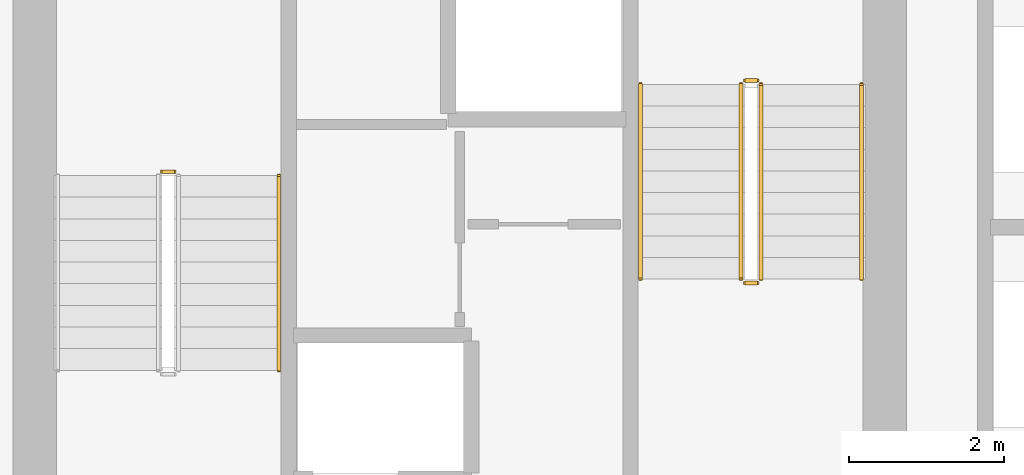
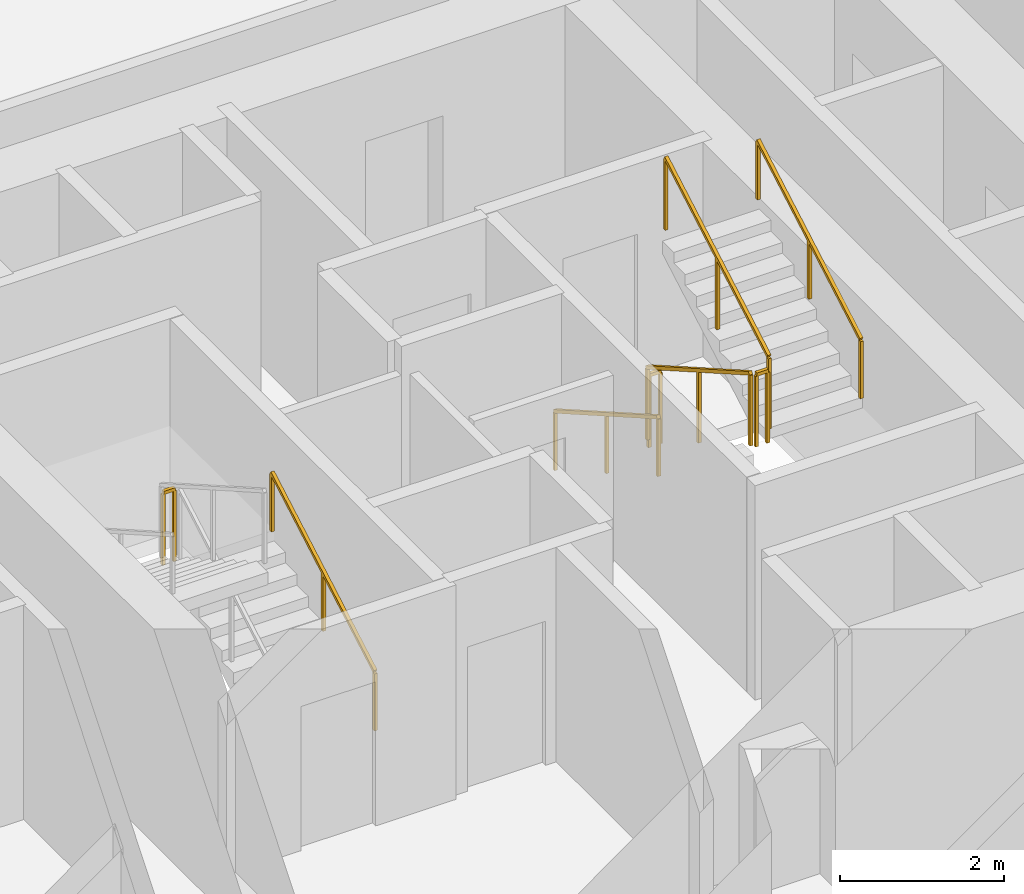
# One storey, part 12 of 13: 8 railings.
"""IFC4 building model written with IfcOpenShell, lengths in metres."""

from ifc_helpers import new_model, si_unit, direction, frame, origin, origin_2d, place, context, subcontext, project, spatial, rectangle, extrude, material, type_object, element, save


model = new_model("IFC4")

# Units and contexts
model_context = context("Model", 3, precision=1e-05, world=origin(), true_north=direction((0.0, 1.0)))
body_context = subcontext(model_context, "Body", "Model", "MODEL_VIEW")
ifc_project = project(units=[si_unit("LENGTHUNIT", "METRE"), si_unit("AREAUNIT", "SQUARE_METRE"), si_unit("VOLUMEUNIT", "CUBIC_METRE"), si_unit("PLANEANGLEUNIT", "RADIAN"), si_unit("MASSUNIT", "GRAM", prefix="KILO")], contexts=[model_context])

# Site, building, storey
site_placement = place(None, origin())
site = spatial("IfcSite", under=ifc_project, at=site_placement, CompositionType="ELEMENT")
building_placement = place(site_placement, origin())
building = spatial("IfcBuilding", under=site, at=building_placement, Name="Veldorim Arch Residences", CompositionType="ELEMENT")
storey_placement = place(building_placement, frame((0.0, 0.0, 63.199951171875)))
storey = spatial("IfcBuildingStorey", under=building, at=storey_placement, Name="L18", CompositionType="ELEMENT", Elevation=63.199951171875)

# Railings
ifc_material_1 = material(Name="Steel S355", Category="steel")
railing_type_1 = type_object("IfcRailingType", Name="Galvanised Steel Stair Safety Guardrail 1100", PredefinedType="GUARDRAIL", material=ifc_material_1)
railing_1_placement = place(storey_placement, frame((28.31005859375, 24.719970703125, 1.60009765625)))
element("IfcRailing", 1, at=railing_1_placement, inside=storey, type_object=railing_type_1, Name="L18 ST-1 stair guard 2", PredefinedType="GUARDRAIL", context=body_context, shape_type="SweptSolid", body=[
    extrude(rectangle(XDim=0.048095703125, YDim=0.048095703125, at=origin_2d()), frame((0.0, 0.0, 1.076171875), z_axis=(-1.0, 0.0, 0.0), x_axis=(0.0, -1.0, 0.0)), (0.0, 0.0, 1.0), 0.16015625),
    extrude(rectangle(XDim=0.0419921875, YDim=0.0419921875, at=origin_2d()), origin(), (0.0, 0.0, 1.0), 1.052001953125),
    extrude(rectangle(XDim=0.0419921875, YDim=0.0419921875, at=origin_2d()), frame((-0.16015625, 0.0, 0.0)), (0.0, 0.0, 1.0), 1.052001953125),
])
railing_2_placement = place(storey_placement, frame((35.639892578125, 25.85009765625, 0.16015625)))
element("IfcRailing", 2, at=railing_2_placement, inside=storey, type_object=railing_type_1, Name="L18 ST-2 stair guard 1", PredefinedType="GUARDRAIL", context=body_context, shape_type="SweptSolid", body=[
    extrude(rectangle(XDim=0.048095703125, YDim=0.048095703125, at=origin_2d()), frame((0.0, 0.0, 1.076171875), z_axis=(0.0, -0.868253494771, 0.496120820787), x_axis=(1.0, 0.0, 0.0)), (0.0, 0.0, 1.0), 2.90234375),
    extrude(rectangle(XDim=0.0419921875, YDim=0.0419921875, at=origin_2d()), origin(), (0.0, 0.0, 1.0), 1.052001953125),
    extrude(rectangle(XDim=0.0419921875, YDim=0.0419921875, at=origin_2d()), frame((0.0, -1.260009765625, 0.719970703125)), (0.0, 0.0, 1.0), 1.052001953125),
    extrude(rectangle(XDim=0.0419921875, YDim=0.0419921875, at=origin_2d()), frame((0.0, -2.52001953125, 1.43994140625)), (0.0, 0.0, 1.0), 1.052001953125),
])
railing_3_placement = place(storey_placement, frame((35.68994140625, 23.280029296875, 1.60009765625)))
element("IfcRailing", 3, at=railing_3_placement, inside=storey, type_object=railing_type_1, Name="L18 ST-2 stair guard 2", PredefinedType="GUARDRAIL", context=body_context, shape_type="SweptSolid", body=[
    extrude(rectangle(XDim=0.048095703125, YDim=0.048095703125, at=origin_2d()), frame((0.0, 0.0, 1.076171875), z_axis=(1.0, 0.0, 0.0), x_axis=(0.0, 1.0, 0.0)), (0.0, 0.0, 1.0), 0.16015625),
    extrude(rectangle(XDim=0.0419921875, YDim=0.0419921875, at=origin_2d()), origin(), (0.0, 0.0, 1.0), 1.052001953125),
    extrude(rectangle(XDim=0.0419921875, YDim=0.0419921875, at=origin_2d()), frame((0.16015625, 0.0, 0.0)), (0.0, 0.0, 1.0), 1.052001953125),
])
railing_4_placement = place(storey_placement, frame((35.89990234375, 23.330078125, 1.760009765625)))
element("IfcRailing", 4, at=railing_4_placement, inside=storey, type_object=railing_type_1, Name="L18 ST-2 stair guard 3", PredefinedType="GUARDRAIL", context=body_context, shape_type="SweptSolid", body=[
    extrude(rectangle(XDim=0.048095703125, YDim=0.048095703125, at=origin_2d()), frame((0.0, 0.0, 1.076171875), z_axis=(0.0, 0.868253494771, 0.496120820787), x_axis=(-1.0, 0.0, 0.0)), (0.0, 0.0, 1.0), 2.90234375),
    extrude(rectangle(XDim=0.0419921875, YDim=0.0419921875, at=origin_2d()), origin(), (0.0, 0.0, 1.0), 1.052001953125),
    extrude(rectangle(XDim=0.0419921875, YDim=0.0419921875, at=origin_2d()), frame((0.0, 1.260009765625, 0.719970703125)), (0.0, 0.0, 1.0), 1.052001953125),
    extrude(rectangle(XDim=0.0419921875, YDim=0.0419921875, at=origin_2d()), frame((0.0, 2.52001953125, 1.43994140625)), (0.0, 0.0, 1.0), 1.052001953125),
])
railing_5_placement = place(storey_placement, frame((35.68994140625, 25.89990234375, 0.0)))
element("IfcRailing", 5, at=railing_5_placement, inside=storey, type_object=railing_type_1, Name="L18 ST-2 stair guard 4", PredefinedType="GUARDRAIL", context=body_context, shape_type="SweptSolid", body=[
    extrude(rectangle(XDim=0.048095703125, YDim=0.048095703125, at=origin_2d()), frame((0.0, 0.0, 1.076171875), z_axis=(1.0, 0.0, 0.0), x_axis=(0.0, 1.0, 0.0)), (0.0, 0.0, 1.0), 0.16015625),
    extrude(rectangle(XDim=0.0419921875, YDim=0.0419921875, at=origin_2d()), origin(), (0.0, 0.0, 1.0), 1.052001953125),
    extrude(rectangle(XDim=0.0419921875, YDim=0.0419921875, at=origin_2d()), frame((0.16015625, 0.0, 0.0)), (0.0, 0.0, 1.0), 1.052001953125),
])
ifc_material_2 = material(Name="Stainless Steel", Category="steel")
railing_type_2 = type_object("IfcRailingType", Name="Tubular Steel Continuous Wall Handrail 900", PredefinedType="HANDRAIL", material=ifc_material_2)
railing_6_placement = place(storey_placement, frame((29.659912109375, 22.14990234375, 0.16015625)))
element("IfcRailing", 6, at=railing_6_placement, inside=storey, type_object=railing_type_2, Name="L18 ST-1 stair handrail 1", PredefinedType="HANDRAIL", context=body_context, shape_type="SweptSolid", body=[
    extrude(rectangle(XDim=0.048095703125, YDim=0.048095703125, at=origin_2d()), frame((0.0, 0.0, 0.8759765625), z_axis=(0.0, 0.868253494771, 0.496120820787), x_axis=(-1.0, 0.0, 0.0)), (0.0, 0.0, 1.0), 2.90234375),
    extrude(rectangle(XDim=0.0419921875, YDim=0.0419921875, at=origin_2d()), origin(), (0.0, 0.0, 1.0), 0.851806640625),
    extrude(rectangle(XDim=0.0419921875, YDim=0.0419921875, at=origin_2d()), frame((0.0, 1.260009765625, 0.719970703125)), (0.0, 0.0, 1.0), 0.851806640625),
    extrude(rectangle(XDim=0.0419921875, YDim=0.0419921875, at=origin_2d()), frame((0.0, 2.52001953125, 1.43994140625)), (0.0, 0.0, 1.0), 0.851806640625),
])
railing_7_placement = place(storey_placement, frame((34.340087890625, 25.85009765625, 0.16015625)))
element("IfcRailing", 7, at=railing_7_placement, inside=storey, type_object=railing_type_2, Name="L18 ST-2 stair handrail 1", PredefinedType="HANDRAIL", context=body_context, shape_type="SweptSolid", body=[
    extrude(rectangle(XDim=0.048095703125, YDim=0.048095703125, at=origin_2d()), frame((0.0, 0.0, 0.8759765625), z_axis=(0.0, -0.868253494771, 0.496120820787), x_axis=(1.0, 0.0, 0.0)), (0.0, 0.0, 1.0), 2.90234375),
    extrude(rectangle(XDim=0.0419921875, YDim=0.0419921875, at=origin_2d()), origin(), (0.0, 0.0, 1.0), 0.851806640625),
    extrude(rectangle(XDim=0.0419921875, YDim=0.0419921875, at=origin_2d()), frame((0.0, -1.260009765625, 0.719970703125)), (0.0, 0.0, 1.0), 0.851806640625),
    extrude(rectangle(XDim=0.0419921875, YDim=0.0419921875, at=origin_2d()), frame((0.0, -2.52001953125, 1.43994140625)), (0.0, 0.0, 1.0), 0.851806640625),
])
railing_8_placement = place(storey_placement, frame((37.199951171875, 23.330078125, 1.760009765625)))
element("IfcRailing", 8, at=railing_8_placement, inside=storey, type_object=railing_type_2, Name="L18 ST-2 stair handrail 2", PredefinedType="HANDRAIL", context=body_context, shape_type="SweptSolid", body=[
    extrude(rectangle(XDim=0.048095703125, YDim=0.048095703125, at=origin_2d()), frame((0.0, 0.0, 0.8759765625), z_axis=(0.0, 0.868253494771, 0.496120820787), x_axis=(-1.0, 0.0, 0.0)), (0.0, 0.0, 1.0), 2.90234375),
    extrude(rectangle(XDim=0.0419921875, YDim=0.0419921875, at=origin_2d()), origin(), (0.0, 0.0, 1.0), 0.851806640625),
    extrude(rectangle(XDim=0.0419921875, YDim=0.0419921875, at=origin_2d()), frame((0.0, 1.260009765625, 0.719970703125)), (0.0, 0.0, 1.0), 0.851806640625),
    extrude(rectangle(XDim=0.0419921875, YDim=0.0419921875, at=origin_2d()), frame((0.0, 2.52001953125, 1.43994140625)), (0.0, 0.0, 1.0), 0.851806640625),
])

save(model, "model.ifc")
